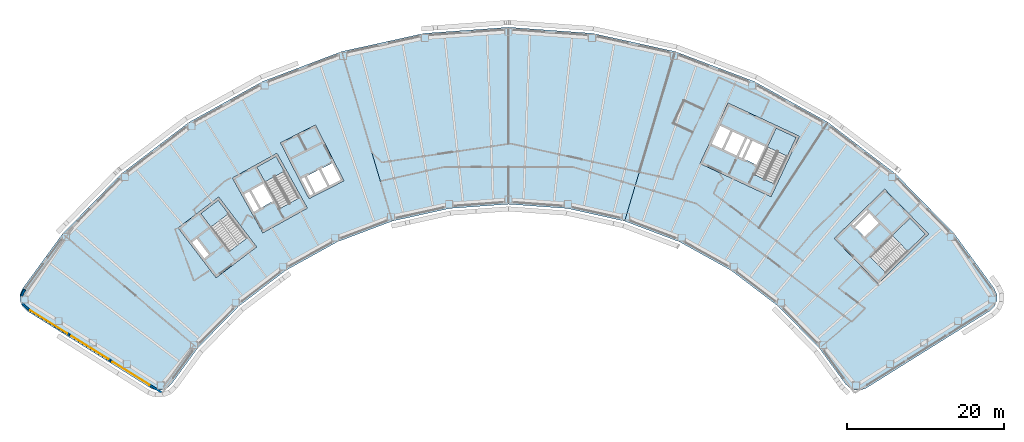
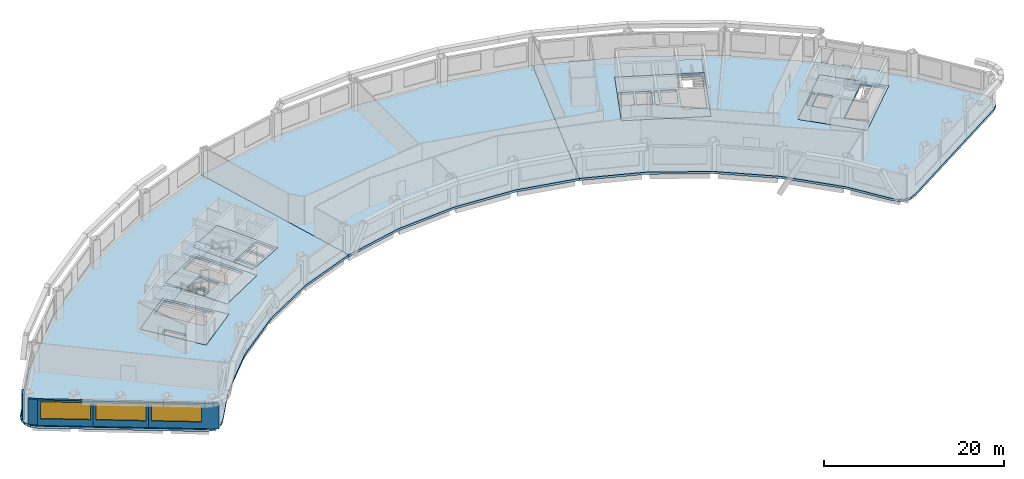
# One storey, part 4 of 12: 12 slabs, 5 walls, 3 windows, 3 openings, 4 elements without a shape of their own.
"""IFC4 building model written with IfcOpenShell, lengths in metres."""

import ifcopenshell
import ifcopenshell.guid

model = None  # the IFC model being written
_history = None  # IfcOwnerHistory: only IFC2X3 demands one
_inside = {}  # id of a spatial element -> (the spatial element, [elements in it])
_under = {}  # id of a project, library or spatial element -> (it, [spatial elements below it])
_declared = {}  # id of a project -> (the project, [libraries it declares])
_typed = {}  # id of a type object -> (the type object, [elements of that type])
_made_of = {}  # id of a material, layer set ... -> (it, [elements and type objects made of it])


def new_model(schema):
    """Start an empty IFC model of exactly this schema.

    Asked for "IFC4X3", IfcOpenShell would pick the latest addendum, in which some entities
    have other attributes; the version numbers below select the first issue.
    IFC2X3 requires an IfcOwnerHistory on every rooted entity: one is made here for all.
    """
    global model, _history
    if schema == "IFC4X3":
        model = ifcopenshell.file(schema_version=(4, 3, 0, 0))
    else:
        model = ifcopenshell.file(schema=schema)
    _inside.clear()
    _under.clear()
    _declared.clear()
    _typed.clear()
    _made_of.clear()
    _history = None
    if model.schema == "IFC2X3":
        org = make("IfcOrganization", Name="unknown")
        user = make(
            "IfcPersonAndOrganization",
            ThePerson=make("IfcPerson", FamilyName="unknown"),
            TheOrganization=org,
        )
        app = make(
            "IfcApplication",
            ApplicationDeveloper=org,
            Version="unknown",
            ApplicationFullName="unknown",
            ApplicationIdentifier="unknown",
        )
        _history = make(
            "IfcOwnerHistory",
            OwningUser=user,
            OwningApplication=app,
            ChangeAction="ADDED",
            CreationDate=0,
        )
    return model


def make(cls, **values):
    """One entity of the class cls with the attributes given. An attribute that is None is left unset."""
    return model.create_entity(
        cls, **{name: value for name, value in values.items() if value is not None}
    )


def rooted(cls, **values):
    """An entity with a GlobalId (a new one), such as an element, a storey or a relation."""
    return make(cls, GlobalId=ifcopenshell.guid.new(), OwnerHistory=_history, **values)


def si_unit(unit_type, name, prefix=None):
    """IfcSIUnit, for example si_unit("LENGTHUNIT", "METRE", prefix="MILLI")."""
    return make("IfcSIUnit", UnitType=unit_type, Prefix=prefix, Name=name)


def assignment(units):
    """IfcUnitAssignment: the units of a project."""
    return None if units is None else make("IfcUnitAssignment", Units=units)


def point(xyz):
    """IfcCartesianPoint."""
    return None if xyz is None else make("IfcCartesianPoint", Coordinates=xyz)


def direction(xyz):
    """IfcDirection."""
    return None if xyz is None else make("IfcDirection", DirectionRatios=xyz)


def frame(location, z_axis=None, x_axis=None):
    """IfcAxis2Placement3D, a coordinate frame: its origin and axes. An axis left out is left unset."""
    return make(
        "IfcAxis2Placement3D",
        Location=point(location),
        Axis=direction(z_axis),
        RefDirection=direction(x_axis),
    )


def frame_2d(location, x_axis=None):
    """IfcAxis2Placement2D, a coordinate frame in the plane: its origin and x axis."""
    return make(
        "IfcAxis2Placement2D", Location=point(location), RefDirection=direction(x_axis)
    )


def origin():
    """The frame at (0, 0, 0) with its axes left unset."""
    return frame((0.0, 0.0, 0.0))


def place(relative_to, where):
    """IfcLocalPlacement: puts the frame where relative to a parent placement (None: the world)."""
    return make(
        "IfcLocalPlacement", PlacementRelTo=relative_to, RelativePlacement=where
    )


def context(
    kind, dimensions, precision=None, world=None, true_north=None, identifier=None
):
    """IfcGeometricRepresentationContext, for example the 3D "Model" context."""
    return make(
        "IfcGeometricRepresentationContext",
        ContextIdentifier=identifier,
        ContextType=kind,
        CoordinateSpaceDimension=dimensions,
        Precision=precision,
        WorldCoordinateSystem=world,
        TrueNorth=true_north,
    )


def subcontext(parent, identifier, kind, view, scale=None):
    """IfcGeometricRepresentationSubContext, for example "Body" below "Model"."""
    return make(
        "IfcGeometricRepresentationSubContext",
        ContextIdentifier=identifier,
        ContextType=kind,
        ParentContext=parent,
        TargetScale=scale,
        TargetView=view,
    )


def project(units=None, contexts=None):
    """IfcProject with its units and contexts."""
    return rooted(
        "IfcProject",
        Name="project",
        RepresentationContexts=contexts,
        UnitsInContext=assignment(units),
    )


def spatial(cls, under=None, at=None, **own):
    """A site, building, storey or space (cls), placed at a placement, below another one or the project."""
    s = rooted(cls, ObjectPlacement=at, **own)
    if under is not None:
        _under.setdefault(under.id(), (under, []))[1].append(s)
    return s


def polyline(points):
    """IfcPolyline through the points."""
    return make("IfcPolyline", Points=[point(p) for p in points])


def profile(cls, at=None, kind="AREA", **sizes):
    """A parametric profile (cls). Its sizes go by their IFC names, for example OverallWidth=200.0."""
    return make(cls, ProfileType=kind, Position=at, **sizes)


def rectangle(**sizes):
    """IfcRectangleProfileDef."""
    return profile("IfcRectangleProfileDef", **sizes)


def outline(outer, holes=None, kind="AREA"):
    """IfcArbitraryClosedProfileDef: a profile drawn as a closed curve; with holes, ...WithVoids."""
    if holes is None:
        return make("IfcArbitraryClosedProfileDef", ProfileType=kind, OuterCurve=outer)
    return make(
        "IfcArbitraryProfileDefWithVoids",
        ProfileType=kind,
        OuterCurve=outer,
        InnerCurves=holes,
    )


def extrude(swept, where, along, depth):
    """IfcExtrudedAreaSolid: the profile swept, set in the frame where, extruded along a direction by depth."""
    return make(
        "IfcExtrudedAreaSolid",
        SweptArea=swept,
        Position=where,
        ExtrudedDirection=direction(along),
        Depth=depth,
    )


def shape(context_of_items, identifier, shape_type, items):
    """IfcShapeRepresentation: the items that make up one representation, for example the "Body"."""
    return make(
        "IfcShapeRepresentation",
        ContextOfItems=context_of_items,
        RepresentationIdentifier=identifier,
        RepresentationType=shape_type,
        Items=items,
    )


def material(Name=None, Category=None):
    """IfcMaterial."""
    return make("IfcMaterial", Name=Name, Category=Category)


def layer(
    of_material, thickness, ventilated=None, Name=None, Category=None, Priority=None
):
    """IfcMaterialLayer: one layer of a wall or slab, of a material (None: an air gap)."""
    return make(
        "IfcMaterialLayer",
        Material=of_material,
        LayerThickness=thickness,
        IsVentilated=ventilated,
        Name=Name,
        Category=Category,
        Priority=Priority,
    )


def layer_set(layers, Name=None):
    """IfcMaterialLayerSet."""
    return make("IfcMaterialLayerSet", MaterialLayers=layers, LayerSetName=Name)


def made_of(thing, what):
    """Note that an element or type object is made of a material, layer set ...; save() writes the relation."""
    if what is not None:
        _made_of.setdefault(what.id(), (what, []))[1].append(thing)
    return thing


def type_object(cls, material=None, **own):
    """A type object (cls), such as IfcWallType, which elements share."""
    return made_of(rooted(cls, **own), material)


def element(
    cls,
    number,
    at=None,
    inside=None,
    cuts=None,
    type_object=None,
    material=None,
    context=None,
    identifier="Body",
    shape_type=None,
    held_by="IfcProductDefinitionShape",
    body=None,
    shapes=None,
    **own,
):
    """One element of the class cls, such as IfcWall. Its Tag is "e" and its number.

    at: its placement. inside: the storey or other place that contains it. cuts: it is an
    opening in that element (IfcRelVoidsElement). A single representation is given by context,
    identifier, shape_type and body (its items); several are given by shapes. held_by: the class
    of the entity that holds the representations. save() writes the other relations.
    """
    e = rooted(cls, Tag="e%d" % number, ObjectPlacement=at, **own)
    if body is not None:
        shapes = [shape(context, identifier, shape_type, body)]
    if shapes is not None:
        e.Representation = make(held_by, Representations=shapes)
    if inside is not None:
        _inside.setdefault(inside.id(), (inside, []))[1].append(e)
    if cuts is not None:
        rooted(
            "IfcRelVoidsElement", RelatingBuildingElement=cuts, RelatedOpeningElement=e
        )
    if type_object is not None:
        _typed.setdefault(type_object.id(), (type_object, []))[1].append(e)
    return made_of(e, material)


def fill(opening, filler):
    """IfcRelFillsElement: the door or window that sits in an opening."""
    return rooted(
        "IfcRelFillsElement",
        RelatingOpeningElement=opening,
        RelatedBuildingElement=filler,
    )


def aggregate(whole, parts):
    """IfcRelAggregates: a whole, such as a stair, and the parts it consists of."""
    return rooted("IfcRelAggregates", RelatingObject=whole, RelatedObjects=parts)


def save(model, path):
    """Write the relations noted so far, then the file.

    IfcRelAggregates (storeys below a building ...), IfcRelContainedInSpatialStructure (elements
    in a storey), IfcRelDefinesByType, IfcRelAssociatesMaterial and IfcRelDeclares: one each for
    every whole, place, type object, material and project.
    """
    for whole, parts in _under.values():
        aggregate(whole, parts)
    for where, things in _inside.values():
        rooted(
            "IfcRelContainedInSpatialStructure",
            RelatedElements=things,
            RelatingStructure=where,
        )
    for kind, things in _typed.values():
        rooted("IfcRelDefinesByType", RelatedObjects=things, RelatingType=kind)
    for what, things in _made_of.values():
        rooted("IfcRelAssociatesMaterial", RelatedObjects=things, RelatingMaterial=what)
    for by, libraries in _declared.values():
        rooted("IfcRelDeclares", RelatingContext=by, RelatedDefinitions=libraries)
    model.write(path)


model = new_model("IFC4")

# Units and contexts
model_context = context("Model", 3, precision=1e-05, world=origin(), true_north=direction((0.0, 1.0)))
body_context = subcontext(model_context, "Body", "Model", "MODEL_VIEW")
ifc_project = project(units=[si_unit("LENGTHUNIT", "METRE"), si_unit("AREAUNIT", "SQUARE_METRE"), si_unit("VOLUMEUNIT", "CUBIC_METRE"), si_unit("PLANEANGLEUNIT", "RADIAN"), si_unit("MASSUNIT", "GRAM", prefix="KILO")], contexts=[model_context])

# Site, building, storey
site_placement = place(None, origin())
site = spatial("IfcSite", under=ifc_project, at=site_placement, CompositionType="ELEMENT")
building_placement = place(site_placement, origin())
building = spatial("IfcBuilding", under=site, at=building_placement, Name="Tuul Gate Civic Tower", CompositionType="ELEMENT")
storey_placement = place(building_placement, frame((0.0, 0.0, 193.10009765625)))
storey = spatial("IfcBuildingStorey", under=building, at=storey_placement, Name="Level 44", CompositionType="ELEMENT", Elevation=193.10009765625)

# Slabs
ifc_material_1 = material(Name="Concrete C40/50", Category="concrete")
ifc_layer_1 = layer(ifc_material_1, 0.300048828125)
ifc_layer_set_1 = layer_set([ifc_layer_1], Name="Concrete C40/50")
slab_type_1 = type_object("IfcSlabType", Name="Core floor slab 300", PredefinedType="FLOOR", material=ifc_layer_set_1)
slab_1_placement = place(storey_placement, frame((0.0, 0.0, -0.300048828125)))
element("IfcSlab", 1, at=slab_1_placement, inside=storey, type_object=slab_type_1, Name="FLOOR SLAB", PredefinedType="FLOOR", context=body_context, shape_type="SweptSolid", body=[
    extrude(outline(polyline([(-31.10009765625, -13.7890625), (-35.946044921875, -7.423828125), (-41.11767578125, -11.361572265625), (-36.271484375, -17.726806640625), (-31.10009765625, -13.7890625)]), holes=[polyline([(-37.19287109375, -14.783203125), (-38.737548828125, -12.75439453125), (-39.45361328125, -13.299560546875), (-37.908935546875, -15.328369140625), (-37.19287109375, -14.783203125)]), polyline([(-32.33935546875, -12.65771484375), (-34.56591796875, -14.352783203125), (-38.229736328125, -9.54052734375), (-36.003173828125, -7.845458984375), (-32.33935546875, -12.65771484375)])]), origin(), (0.0, 0.0, 1.0), 0.300048828125),
])
slab_2_placement = place(storey_placement, frame((0.0, 0.0, -0.300048828125)))
element("IfcSlab", 2, at=slab_2_placement, inside=storey, type_object=slab_type_1, Name="FLOOR SLAB", PredefinedType="FLOOR", context=body_context, shape_type="SweptSolid", body=[
    extrude(outline(polyline([(-24.638916015625, -8.846923828125), (-28.51708984375, -1.849853515625), (-34.2021484375, -5.0009765625), (-30.32421875, -11.998046875), (-24.638916015625, -8.846923828125)]), holes=[polyline([(-29.0185546875, -7.958740234375), (-30.254638671875, -5.728515625), (-31.785400390625, -6.576904296875), (-30.54931640625, -8.80712890625), (-29.0185546875, -7.958740234375)]), polyline([(-30.8115234375, -8.95263671875), (-32.047607421875, -6.72216796875), (-32.8349609375, -7.158447265625), (-31.5986328125, -9.388916015625), (-30.8115234375, -8.95263671875)]), polyline([(-25.702392578125, -7.548828125), (-28.14990234375, -8.905517578125), (-31.08203125, -3.615234375), (-28.63427734375, -2.2587890625), (-25.702392578125, -7.548828125)])]), origin(), (0.0, 0.0, 1.0), 0.300048828125),
])
slab_3_placement = place(storey_placement, frame((0.0, 0.0, -0.300048828125)))
element("IfcSlab", 3, at=slab_3_placement, inside=storey, type_object=slab_type_1, Name="FLOOR SLAB", PredefinedType="FLOOR", context=body_context, shape_type="SweptSolid", body=[
    extrude(outline(polyline([(48.117919921875, -18.43310546875), (54.545166015625, -12.1328125), (48.945068359375, -6.419921875), (42.517822265625, -12.719970703125), (48.117919921875, -18.43310546875)]), holes=[polyline([(46.373779296875, -12.510986328125), (48.19482421875, -10.725830078125), (46.969970703125, -9.47607421875), (45.14892578125, -11.26123046875), (46.373779296875, -12.510986328125)]), polyline([(44.93896484375, -11.046875), (46.760009765625, -9.261962890625), (46.514892578125, -9.011962890625), (44.69384765625, -10.797119140625), (44.93896484375, -11.046875)]), polyline([(49.086181640625, -17.062744140625), (47.12744140625, -15.064208984375), (52.160888671875, -10.130126953125), (54.11962890625, -12.128662109375), (49.086181640625, -17.062744140625)])]), origin(), (0.0, 0.0, 1.0), 0.300048828125),
])
slab_4_placement = place(storey_placement, frame((0.0, 0.0, -0.300048828125)))
element("IfcSlab", 4, at=slab_4_placement, inside=storey, type_object=slab_type_1, Name="FLOOR SLAB", PredefinedType="FLOOR", context=body_context, shape_type="SweptSolid", body=[
    extrude(outline(polyline([(34.465087890625, -7.385986328125), (38.056884765625, 0.31787109375), (28.993896484375, 4.543701171875), (25.40185546875, -3.159912109375), (34.465087890625, -7.385986328125)]), holes=[polyline([(32.60888671875, -3.32080078125), (33.6865234375, -1.009765625), (32.1005859375, -0.27001953125), (31.02294921875, -2.581298828125), (32.60888671875, -3.32080078125)]), polyline([(30.0712890625, -2.137451171875), (31.14892578125, 0.173583984375), (29.562744140625, 0.9130859375), (28.4853515625, -1.39794921875), (30.0712890625, -2.137451171875)]), polyline([(30.751220703125, -2.454345703125), (31.82861328125, -0.143310546875), (31.4208984375, 0.046875), (30.34326171875, -2.264404296875), (30.751220703125, -2.454345703125)]), polyline([(28.21337890625, -1.27099609375), (29.291015625, 1.0400390625), (27.8408203125, 1.71630859375), (26.76318359375, -0.594970703125), (28.21337890625, -1.27099609375)]), polyline([(34.889892578125, -5.7626953125), (32.353759765625, -4.580078125), (35.120849609375, 1.354736328125), (37.6572265625, 0.17236328125), (34.889892578125, -5.7626953125)])]), origin(), (0.0, 0.0, 1.0), 0.300048828125),
])
ifc_material_2 = material(Name="Concrete C40/50", Category="concrete")
ifc_layer_2 = layer(ifc_material_2, 0.300048828125)
ifc_layer_set_2 = layer_set([ifc_layer_2], Name="Concrete C40/50")
slab_type_2 = type_object("IfcSlabType", Name="Core floor slab 300 non-bearing", PredefinedType="FLOOR", material=ifc_layer_set_2)
slab_5_placement = place(storey_placement, frame((0.0, 0.0, -0.300048828125)))
element("IfcSlab", 5, at=slab_5_placement, inside=storey, type_object=slab_type_2, Name="FLOOR SLAB", PredefinedType="FLOOR", context=body_context, shape_type="SweptSolid", body=[
    extrude(outline(polyline([(-19.98095703125, -5.365966796875), (-23.613037109375, 1.761962890625), (-28.068115234375, -0.508056640625), (-24.43603515625, -7.635986328125), (-19.98095703125, -5.365966796875)]), holes=[polyline([(-20.384521484375, -5.23486328125), (-21.47412109375, -3.096435546875), (-22.899658203125, -3.822998046875), (-21.81005859375, -5.961181640625), (-20.384521484375, -5.23486328125)]), polyline([(-22.077392578125, -6.097412109375), (-23.1669921875, -3.958984375), (-24.726318359375, -4.753662109375), (-23.63671875, -6.89208984375), (-22.077392578125, -6.097412109375)]), polyline([(-23.8359375, -7.161865234375), (-24.99365234375, -4.889892578125), (-25.5283203125, -5.162109375), (-24.37060546875, -7.434326171875), (-23.8359375, -7.161865234375)])]), origin(), (0.0, 0.0, 1.0), 0.300048828125),
])

# Stair, slab
ifc_material_3 = material(Name="Concrete C40/50", Category="concrete")
stair_type = type_object("IfcStairType", Name="Exit stair", PredefinedType="HALF_TURN_STAIR", material=ifc_material_3)
stair_1_placement = place(storey_placement, origin())
stair_1 = element("IfcStair", 6, at=stair_1_placement, inside=storey, type_object=stair_type, Name="Level 44 ST-1", PredefinedType="HALF_TURN_STAIR")
ifc_material_4 = material(Name="Concrete C40/50", Category="concrete")
ifc_layer_3 = layer(ifc_material_4, 0.199951171875)
ifc_layer_set_3 = layer_set([ifc_layer_3], Name="Concrete C40/50")
slab_type_3 = type_object("IfcSlabType", Name="Exit stair landing", PredefinedType="LANDING", material=ifc_layer_set_3)
slab_6_placement = place(storey_placement, frame((0.0, 0.0, 1.89990234375)))
slab_6 = element("IfcSlab", 7, at=slab_6_placement, type_object=slab_type_3, Name="ST-1 landing 1", PredefinedType="LANDING", context=body_context, shape_type="SweptSolid", body=[
    extrude(outline(polyline([(-34.699462890625, -9.554931640625), (-36.9287109375, -11.252197265625), (-38.23193359375, -9.540283203125), (-36.0029296875, -7.843017578125), (-34.699462890625, -9.554931640625)])), origin(), (0.0, 0.0, 1.0), 0.199951171875),
])
aggregate(stair_1, [slab_6])

stair_2_placement = place(storey_placement, origin())
stair_2 = element("IfcStair", 8, at=stair_2_placement, inside=storey, type_object=stair_type, Name="Level 44 ST-2", PredefinedType="HALF_TURN_STAIR")
slab_7_placement = place(storey_placement, frame((0.0, 0.0, 1.89990234375)))
slab_7 = element("IfcSlab", 9, at=slab_7_placement, type_object=slab_type_3, Name="ST-2 landing 1", PredefinedType="LANDING", context=body_context, shape_type="SweptSolid", body=[
    extrude(outline(polyline([(-27.5908203125, -4.138427734375), (-30.041015625, -5.49658203125), (-31.084228515625, -3.61474609375), (-28.6337890625, -2.256591796875), (-27.5908203125, -4.138427734375)])), origin(), (0.0, 0.0, 1.0), 0.199951171875),
])
aggregate(stair_2, [slab_7])

stair_3_placement = place(storey_placement, origin())
stair_3 = element("IfcStair", 10, at=stair_3_placement, inside=storey, type_object=stair_type, Name="Level 44 ST-3", PredefinedType="HALF_TURN_STAIR")
slab_8_placement = place(storey_placement, frame((0.0, 0.0, 1.89990234375)))
slab_8 = element("IfcSlab", 11, at=slab_8_placement, type_object=slab_type_3, Name="ST-3 landing 1", PredefinedType="LANDING", context=body_context, shape_type="SweptSolid", body=[
    extrude(outline(polyline([(51.871337890625, -14.3349609375), (49.91015625, -12.334228515625), (52.160888671875, -10.1279296875), (54.1220703125, -12.128662109375), (51.871337890625, -14.3349609375)])), origin(), (0.0, 0.0, 1.0), 0.199951171875),
])
aggregate(stair_3, [slab_8])

stair_4_placement = place(storey_placement, origin())
stair_4 = element("IfcStair", 12, at=stair_4_placement, inside=storey, type_object=stair_type, Name="Level 44 ST-4", PredefinedType="HALF_TURN_STAIR")
slab_9_placement = place(storey_placement, frame((0.0, 0.0, 1.89990234375)))
slab_9 = element("IfcSlab", 13, at=slab_9_placement, type_object=slab_type_3, Name="ST-4 landing 1", PredefinedType="LANDING", context=body_context, shape_type="SweptSolid", body=[
    extrude(outline(polyline([(36.538818359375, -2.230224609375), (33.999755859375, -1.046142578125), (35.1201171875, 1.35693359375), (37.659423828125, 0.173095703125), (36.538818359375, -2.230224609375)])), origin(), (0.0, 0.0, 1.0), 0.199951171875),
])
aggregate(stair_4, [slab_9])

# Slabs
ifc_material_5 = material(Name="Concrete C35/45", Category="concrete")
ifc_layer_4 = layer(ifc_material_5, 0.300048828125)
ifc_layer_set_4 = layer_set([ifc_layer_4], Name="Concrete C35/45")
slab_type_4 = type_object("IfcSlabType", Name="STR-FLOOR-SLAB-300", PredefinedType="FLOOR", material=ifc_layer_set_4)
slab_10_placement = place(storey_placement, frame((0.0, 0.0, -0.300048828125)))
element("IfcSlab", 14, at=slab_10_placement, inside=storey, type_object=slab_type_4, Name="Level 44/slab/W", PredefinedType="FLOOR", context=body_context, shape_type="SweptSolid", body=[
    extrude(outline(polyline([(-20.843994140625, -13.154052734375), (-13.823974609375, -10.4990234375), (-20.258056640625, 11.123046875), (-30.326904296875, 7.31494140625), (-39.740966796875, 2.096923828125), (-48.305908203125, -4.424072265625), (-55.841064453125, -12.111083984375), (-60.922119140625, -19.06689453125), (-61.258056640625, -19.81103515625), (-61.27001953125, -20.6259765625), (-60.955078125, -21.37890625), (-60.365966796875, -21.943115234375), (-44.635986328125, -31.77197265625), (-43.94189453125, -32.04296875), (-43.197021484375, -32.0400390625), (-42.5048828125, -31.764892578125), (-41.9609375, -31.256103515625), (-38.632080078125, -26.697998046875), (-33.37890625, -21.337890625), (-27.407958984375, -16.7919921875), (-20.843994140625, -13.154052734375)]), holes=[polyline([(-31.10009765625, -13.7890625), (-36.27197265625, -17.72705078125), (-41.117919921875, -11.362060546875), (-35.946044921875, -7.424072265625), (-31.10009765625, -13.7890625)]), polyline([(-24.638916015625, -8.846923828125), (-30.323974609375, -11.998046875), (-34.201904296875, -5.0009765625), (-28.51708984375, -1.85009765625), (-24.638916015625, -8.846923828125)]), polyline([(-24.43603515625, -7.635986328125), (-28.068115234375, -0.508056640625), (-23.613037109375, 1.761962890625), (-19.98095703125, -5.365966796875), (-24.43603515625, -7.635986328125)])]), origin(), (0.0, 0.0, 1.0), 0.300048828125),
])
slab_11_placement = place(storey_placement, frame((0.0, 0.0, -0.300048828125)))
element("IfcSlab", 15, at=slab_11_placement, inside=storey, type_object=slab_type_4, Name="Level 44/slab/M", PredefinedType="FLOOR", context=body_context, shape_type="SweptSolid", body=[
    extrude(outline(polyline([(15.803955078125, -10.4990234375), (22.238037109375, 11.123046875), (11.72607421875, 13.43994140625), (0.989990234375, 14.217041015625), (-9.74609375, 13.43994140625), (-20.258056640625, 11.123046875), (-13.823974609375, -10.4990234375), (-6.4951171875, -8.884033203125), (0.989990234375, -8.342041015625), (8.47509765625, -8.884033203125), (15.803955078125, -10.4990234375)])), origin(), (0.0, 0.0, 1.0), 0.300048828125),
])
slab_12_placement = place(storey_placement, frame((0.0, 0.0, -0.300048828125)))
element("IfcSlab", 16, at=slab_12_placement, inside=storey, type_object=slab_type_4, Name="Level 44/slab/E", PredefinedType="FLOOR", context=body_context, shape_type="SweptSolid", body=[
    extrude(outline(polyline([(45.922119140625, -32.04296875), (46.615966796875, -31.77197265625), (62.345947265625, -21.943115234375), (62.93505859375, -21.37890625), (63.25, -20.6259765625), (63.238037109375, -19.81103515625), (62.90087890625, -19.06689453125), (57.821044921875, -12.111083984375), (50.284912109375, -4.424072265625), (41.720947265625, 2.096923828125), (32.306884765625, 7.31494140625), (22.238037109375, 11.123046875), (15.803955078125, -10.4990234375), (22.823974609375, -13.154052734375), (29.387939453125, -16.7919921875), (35.35888671875, -21.337890625), (40.612060546875, -26.697998046875), (43.94091796875, -31.256103515625), (44.485107421875, -31.764892578125), (45.177001953125, -32.0400390625), (45.922119140625, -32.04296875)]), holes=[polyline([(48.117919921875, -18.43310546875), (42.51806640625, -12.719970703125), (48.945068359375, -6.419921875), (54.544921875, -12.133056640625), (48.117919921875, -18.43310546875)]), polyline([(25.402099609375, -3.159912109375), (28.993896484375, 4.5439453125), (38.056884765625, 0.318115234375), (34.465087890625, -7.385986328125), (25.402099609375, -3.159912109375)])]), origin(), (0.0, 0.0, 1.0), 0.300048828125),
])

# Walls
ifc_material_6 = material(Name="Precast concrete C40/50", Category="concrete")
ifc_layer_5 = layer(ifc_material_6, 0.25)
ifc_layer_set_5 = layer_set([ifc_layer_5], Name="Precast concrete C40/50")
wall_type = type_object("IfcWallType", Name="External wall", PredefinedType="STANDARD", material=ifc_layer_set_5)
wall_1_placement = place(storey_placement, frame((-60.686279296875, -19.207763671875, 0.0), z_axis=(0.0, 0.0, 1.0), x_axis=(-0.413528765966, -0.910491054167, 0.0)))
element("IfcWall", 17, at=wall_1_placement, inside=storey, type_object=wall_type, Name="External wall", PredefinedType="STANDARD", context=body_context, shape_type="SweptSolid", body=[
    extrude(rectangle(XDim=0.939208984375, YDim=0.25, at=frame_2d((0.4697265625, 0.0))), origin(), (0.0, 0.0, 1.0), 3.449951171875),
])
wall_2_placement = place(storey_placement, frame((-60.996826171875, -20.962890625, 0.0), z_axis=(0.0, 0.0, 1.0), x_axis=(0.722107994372, -0.691780344087, 0.0)))
element("IfcWall", 18, at=wall_2_placement, inside=storey, type_object=wall_type, Name="External wall", PredefinedType="STANDARD", context=body_context, shape_type="SweptSolid", body=[
    extrude(rectangle(XDim=1.102783203125, YDim=0.25, at=frame_2d((0.55126953125, 0.0))), origin(), (0.0, 0.0, 1.0), 3.449951171875),
])

# Wall, opening, window
wall_3_placement = place(storey_placement, frame((-60.220703125, -21.7099609375, 0.0), z_axis=(0.0, 0.0, 1.0), x_axis=(0.848042669488, -0.529927948619, 0.0)))
wall_3 = element("IfcWall", 19, at=wall_3_placement, inside=storey, type_object=wall_type, Name="External wall", PredefinedType="STANDARD", context=body_context, shape_type="SweptSolid", body=[
    extrude(rectangle(XDim=6.1826171875, YDim=0.25, at=frame_2d((3.09130859375, 0.0))), origin(), (0.0, 0.0, 1.0), 3.449951171875),
])
opening_1_placement = place(wall_3_placement, frame((0.31640625, 0.0, 0.89990234375)))
opening_1 = element("IfcOpeningElement", 20, at=opening_1_placement, cuts=wall_3, Name="Opening W24", PredefinedType="OPENING", context=body_context, shape_type="SweptSolid", body=[
    extrude(rectangle(XDim=5.550048828125, YDim=2.300048828125, at=frame_2d((2.77490234375, 1.14990234375))), frame((0.0, 0.135009765625, 0.0), z_axis=(0.0, -1.0, 0.0), x_axis=(1.0, 0.0, 0.0)), (0.0, 0.0, 1.0), 0.27001953125),
])
ifc_material_7 = material(Name="Glass", Category="glass")
window_type = type_object("IfcWindowType", Name="Window W24 5550 x 2300", PartitioningType="SINGLE_PANEL", PredefinedType="WINDOW", material=ifc_material_7)
window_1_placement = place(opening_1_placement, origin())
window_1 = element("IfcWindow", 21, at=window_1_placement, inside=storey, type_object=window_type, Name="Window", OverallHeight=2.300048828125, OverallWidth=5.550048828125, PartitioningType="SINGLE_PANEL", PredefinedType="WINDOW", context=body_context, shape_type="SweptSolid", body=[
    extrude(rectangle(XDim=5.550048828125, YDim=2.300048828125, at=frame_2d((2.77490234375, 1.14990234375))), frame((0.0, 0.030029296875, 0.0), z_axis=(0.0, -1.0, 0.0), x_axis=(1.0, 0.0, 0.0)), (0.0, 0.0, 1.0), 0.06005859375),
])
fill(opening_1, window_1)

wall_4_placement = place(storey_placement, frame((-54.9775390625, -24.986328125, 0.0), z_axis=(0.0, 0.0, 1.0), x_axis=(0.848053758074, -0.529910203164, 0.0)))
wall_4 = element("IfcWall", 22, at=wall_4_placement, inside=storey, type_object=wall_type, Name="External wall", PredefinedType="STANDARD", context=body_context, shape_type="SweptSolid", body=[
    extrude(rectangle(XDim=6.182861328125, YDim=0.25, at=frame_2d((3.09130859375, 0.0))), origin(), (0.0, 0.0, 1.0), 3.449951171875),
])
opening_2_placement = place(wall_4_placement, frame((0.31640625, 0.0, 0.89990234375)))
opening_2 = element("IfcOpeningElement", 23, at=opening_2_placement, cuts=wall_4, Name="Opening W24", PredefinedType="OPENING", context=body_context, shape_type="SweptSolid", body=[
    extrude(rectangle(XDim=5.550048828125, YDim=2.300048828125, at=frame_2d((2.77490234375, 1.14990234375))), frame((0.0, 0.135009765625, 0.0), z_axis=(0.0, -1.0, 0.0), x_axis=(1.0, 0.0, 0.0)), (0.0, 0.0, 1.0), 0.27001953125),
])
window_2_placement = place(opening_2_placement, origin())
window_2 = element("IfcWindow", 24, at=window_2_placement, inside=storey, type_object=window_type, Name="Window", OverallHeight=2.300048828125, OverallWidth=5.550048828125, PartitioningType="SINGLE_PANEL", PredefinedType="WINDOW", context=body_context, shape_type="SweptSolid", body=[
    extrude(rectangle(XDim=5.550048828125, YDim=2.300048828125, at=frame_2d((2.77490234375, 1.14990234375))), frame((0.0, 0.030029296875, 0.0), z_axis=(0.0, -1.0, 0.0), x_axis=(1.0, 0.0, 0.0)), (0.0, 0.0, 1.0), 0.06005859375),
])
fill(opening_2, window_2)

wall_5_placement = place(storey_placement, frame((-49.734130859375, -28.2626953125, 0.0), z_axis=(0.0, 0.0, 1.0), x_axis=(0.848047613046, -0.52992003737, 0.0)))
wall_5 = element("IfcWall", 25, at=wall_5_placement, inside=storey, type_object=wall_type, Name="External wall", PredefinedType="STANDARD", context=body_context, shape_type="SweptSolid", body=[
    extrude(rectangle(XDim=7.787841796875, YDim=0.25, at=frame_2d((3.89404296875, 0.0))), origin(), (0.0, 0.0, 1.0), 3.449951171875),
])
opening_3_placement = place(wall_5_placement, frame((0.31640625, 0.0, 0.89990234375)))
opening_3 = element("IfcOpeningElement", 26, at=opening_3_placement, cuts=wall_5, Name="Opening W24", PredefinedType="OPENING", context=body_context, shape_type="SweptSolid", body=[
    extrude(rectangle(XDim=5.550048828125, YDim=2.300048828125, at=frame_2d((2.77490234375, 1.14990234375))), frame((0.0, 0.135009765625, 0.0), z_axis=(0.0, -1.0, 0.0), x_axis=(1.0, 0.0, 0.0)), (0.0, 0.0, 1.0), 0.27001953125),
])
window_3_placement = place(opening_3_placement, origin())
window_3 = element("IfcWindow", 27, at=window_3_placement, inside=storey, type_object=window_type, Name="Window", OverallHeight=2.300048828125, OverallWidth=5.550048828125, PartitioningType="SINGLE_PANEL", PredefinedType="WINDOW", context=body_context, shape_type="SweptSolid", body=[
    extrude(rectangle(XDim=5.550048828125, YDim=2.300048828125, at=frame_2d((2.77490234375, 1.14990234375))), frame((0.0, 0.030029296875, 0.0), z_axis=(0.0, -1.0, 0.0), x_axis=(1.0, 0.0, 0.0)), (0.0, 0.0, 1.0), 0.06005859375),
])
fill(opening_3, window_3)

save(model, "model.ifc")
